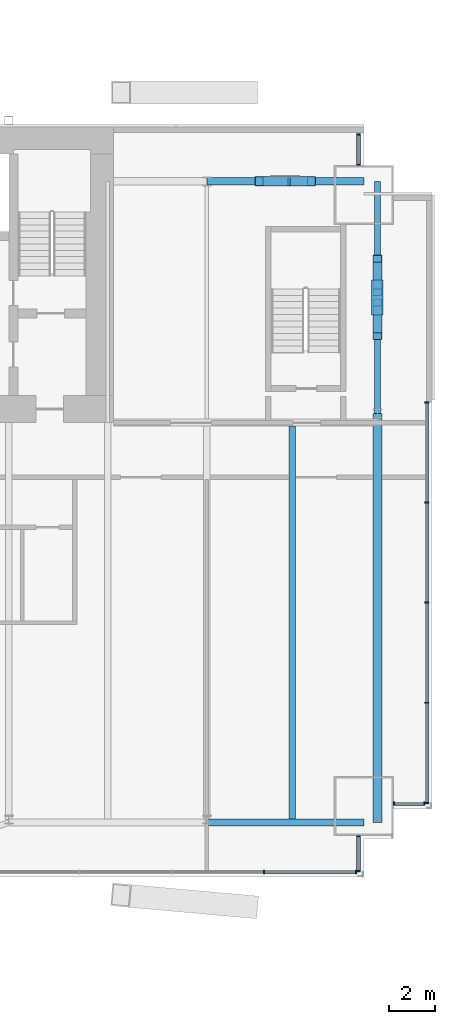
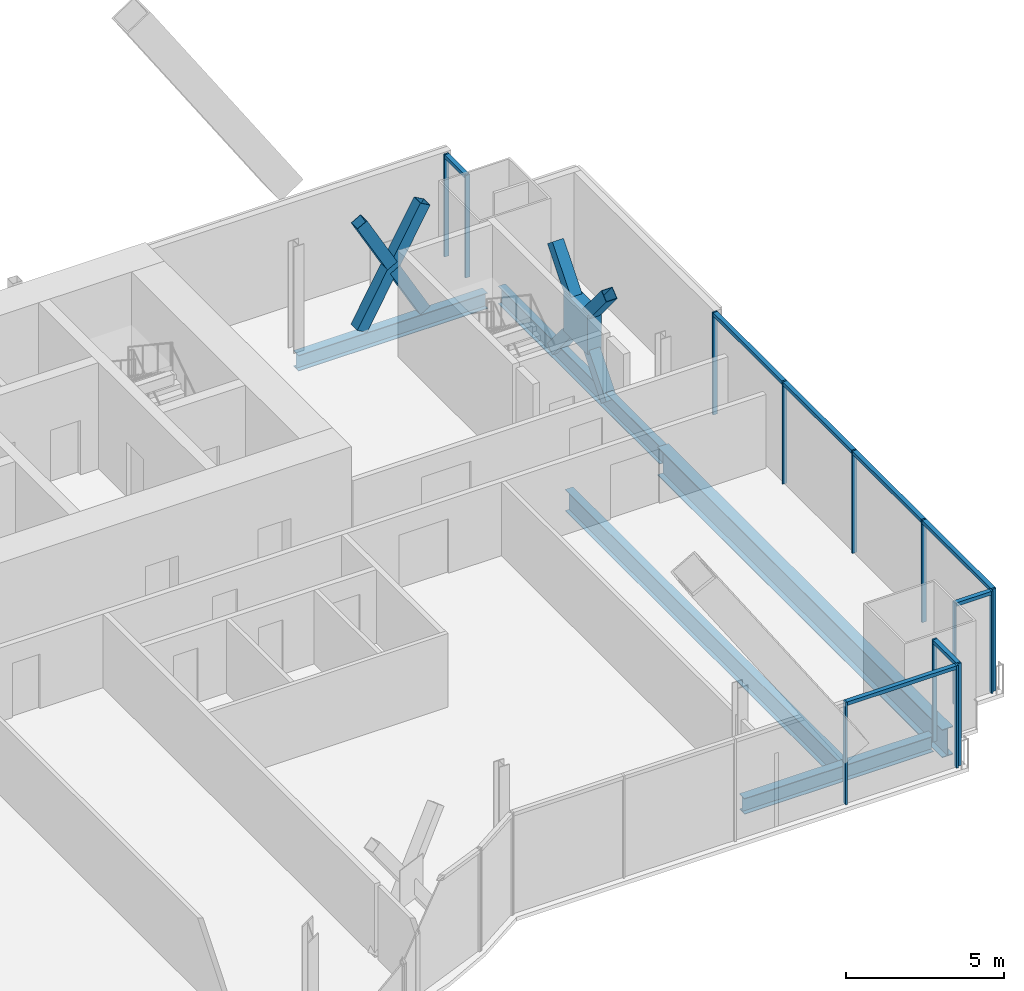
# One storey, part 13 of 21: 29 members, 5 beams, 5 elements without a shape of their own.
"""IFC4 building model written with IfcOpenShell, lengths in metres."""

from ifc_helpers import new_model, si_unit, direction, frame, origin, origin_2d, place, context, subcontext, project, spatial, rectangle, hollow_rectangle, i_section, extrude, material, material_profile, profile_set, type_object, element, aggregate, save


model = new_model("IFC4")

# Units and contexts
model_context = context("Model", 3, precision=1e-05, world=origin(), true_north=direction((0.0, 1.0)))
body_context = subcontext(model_context, "Body", "Model", "MODEL_VIEW")
ifc_project = project(units=[si_unit("LENGTHUNIT", "METRE"), si_unit("AREAUNIT", "SQUARE_METRE"), si_unit("VOLUMEUNIT", "CUBIC_METRE"), si_unit("PLANEANGLEUNIT", "RADIAN"), si_unit("MASSUNIT", "GRAM", prefix="KILO")], contexts=[model_context])

# Site, building, storey
site_placement = place(None, origin())
site = spatial("IfcSite", under=ifc_project, at=site_placement, CompositionType="ELEMENT")
building_placement = place(site_placement, origin())
building = spatial("IfcBuilding", under=site, at=building_placement, Name="Bicima Exchange Tower", CompositionType="ELEMENT")
storey_placement = place(building_placement, frame((0.0, 0.0, 195.0)))
storey = spatial("IfcBuildingStorey", under=building, at=storey_placement, Name="L43", CompositionType="ELEMENT", Elevation=195.0)

# Member
ifc_material_1 = material(Name="Steel ASTM A572 Gr 50", Category="steel")
ifc_material_profile_1 = material_profile(ifc_material_1, rectangle(XDim=0.50634765625, YDim=1.529541015625, at=origin_2d()))
ifc_profile_set_1 = profile_set([ifc_material_profile_1], Name="Steel ASTM A572 Gr 50")
member_type_1 = type_object("IfcMemberType", Name="Brace crossing node 506 x 1530", PredefinedType="POST", material=ifc_profile_set_1)
member_1_placement = place(storey_placement, frame((33.60009765625, -7.5, 0.798583984375), z_axis=(0.0, 0.0, 1.0), x_axis=(1.0, 0.0, 0.0)))
element("IfcMember", 1, at=member_1_placement, inside=storey, type_object=member_type_1, Name="Brace crossing node block", PredefinedType="POST", context=body_context, shape_type="SweptSolid", body=[
    extrude(rectangle(XDim=0.50634765625, YDim=1.529541015625, at=origin_2d()), origin(), (0.0, 0.0, 1.0), 1.509521484375),
])

# Curtain wall, members
ifc_material_2 = material(Name="Anodised bronze aluminium", Category="aluminium")
curtain_wall_type_1 = type_object("IfcCurtainWallType", Name="End face glass wall", PredefinedType="NOTDEFINED", material=ifc_material_2)
curtain_wall_1_placement = place(storey_placement, origin())
curtain_wall_1 = element("IfcCurtainWall", 2, at=curtain_wall_1_placement, inside=storey, type_object=curtain_wall_type_1, Name="End face glass wall L43 run 19", PredefinedType="NOTDEFINED")
ifc_material_profile_2 = material_profile(ifc_material_2, rectangle(XDim=0.159912109375, YDim=0.06005859375, at=origin_2d()))
ifc_profile_set_2 = profile_set([ifc_material_profile_2], Name="Anodised bronze aluminium")
member_type_2 = type_object("IfcMemberType", Name="End face glass wall mullion 60 x 160", PredefinedType="MULLION", material=ifc_profile_set_2)
member_2_placement = place(storey_placement, frame((35.77001953125, -29.7119140625, 0.0), z_axis=(0.0, 0.0, 1.0), x_axis=(-1.0, 0.0, 0.0)))
member_2 = element("IfcMember", 3, at=member_2_placement, type_object=member_type_2, Name="End face glass wall mullion 1", PredefinedType="MULLION", context=body_context, shape_type="SweptSolid", body=[
    extrude(rectangle(XDim=0.159912109375, YDim=0.06005859375, at=origin_2d()), origin(), (0.0, 0.0, 1.0), 3.949951171875),
])
member_3_placement = place(storey_placement, frame((35.77001953125, -25.3115234375, 0.0), z_axis=(0.0, 0.0, 1.0), x_axis=(-1.0, 0.0, 0.0)))
member_3 = element("IfcMember", 4, at=member_3_placement, type_object=member_type_2, Name="End face glass wall mullion 2", PredefinedType="MULLION", context=body_context, shape_type="SweptSolid", body=[
    extrude(rectangle(XDim=0.159912109375, YDim=0.06005859375, at=origin_2d()), origin(), (0.0, 0.0, 1.0), 3.949951171875),
])
member_4_placement = place(storey_placement, frame((35.77001953125, -20.910888671875, 0.0), z_axis=(0.0, 0.0, 1.0), x_axis=(-1.0, 0.0, 0.0)))
member_4 = element("IfcMember", 5, at=member_4_placement, type_object=member_type_2, Name="End face glass wall mullion 3", PredefinedType="MULLION", context=body_context, shape_type="SweptSolid", body=[
    extrude(rectangle(XDim=0.159912109375, YDim=0.06005859375, at=origin_2d()), origin(), (0.0, 0.0, 1.0), 3.949951171875),
])
member_5_placement = place(storey_placement, frame((35.77001953125, -16.510498046875, 0.0), z_axis=(0.0, 0.0, 1.0), x_axis=(-1.0, 0.0, 0.0)))
member_5 = element("IfcMember", 6, at=member_5_placement, type_object=member_type_2, Name="End face glass wall mullion 4", PredefinedType="MULLION", context=body_context, shape_type="SweptSolid", body=[
    extrude(rectangle(XDim=0.159912109375, YDim=0.06005859375, at=origin_2d()), origin(), (0.0, 0.0, 1.0), 3.949951171875),
])
member_6_placement = place(storey_placement, frame((35.77001953125, -12.110107421875, 0.0), z_axis=(0.0, 0.0, 1.0), x_axis=(-1.0, 0.0, 0.0)))
member_6 = element("IfcMember", 7, at=member_6_placement, type_object=member_type_2, Name="End face glass wall mullion 5", PredefinedType="MULLION", context=body_context, shape_type="SweptSolid", body=[
    extrude(rectangle(XDim=0.159912109375, YDim=0.06005859375, at=origin_2d()), origin(), (0.0, 0.0, 1.0), 3.949951171875),
])
ifc_material_profile_3 = material_profile(ifc_material_2, rectangle(XDim=0.159912109375, YDim=0.139892578125, at=origin_2d()))
ifc_profile_set_3 = profile_set([ifc_material_profile_3], Name="Anodised bronze aluminium")
member_type_3 = type_object("IfcMemberType", Name="End face glass wall transom 140 x 160", PredefinedType="USERDEFINED", material=ifc_profile_set_3)
member_7_placement = place(storey_placement, frame((35.77001953125, -29.681884765625, 3.8798828125), z_axis=(0.0, 1.0, 0.0), x_axis=(-1.0, 0.0, 0.0)))
member_7 = element("IfcMember", 8, at=member_7_placement, type_object=member_type_3, Name="End face glass wall transom 1.1", ObjectType="TRANSOM", PredefinedType="USERDEFINED", context=body_context, shape_type="SweptSolid", body=[
    extrude(rectangle(XDim=0.159912109375, YDim=0.139892578125, at=origin_2d()), origin(), (0.0, 0.0, 1.0), 4.34033203125),
])
member_8_placement = place(storey_placement, frame((35.77001953125, -25.281494140625, 3.8798828125), z_axis=(0.0, 1.0, 0.0), x_axis=(-1.0, 0.0, 0.0)))
member_8 = element("IfcMember", 9, at=member_8_placement, type_object=member_type_3, Name="End face glass wall transom 2.1", ObjectType="TRANSOM", PredefinedType="USERDEFINED", context=body_context, shape_type="SweptSolid", body=[
    extrude(rectangle(XDim=0.159912109375, YDim=0.139892578125, at=origin_2d()), origin(), (0.0, 0.0, 1.0), 4.340576171875),
])
member_9_placement = place(storey_placement, frame((35.77001953125, -20.881103515625, 3.8798828125), z_axis=(0.0, 1.0, 0.0), x_axis=(-1.0, 0.0, 0.0)))
member_9 = element("IfcMember", 10, at=member_9_placement, type_object=member_type_3, Name="End face glass wall transom 3.1", ObjectType="TRANSOM", PredefinedType="USERDEFINED", context=body_context, shape_type="SweptSolid", body=[
    extrude(rectangle(XDim=0.159912109375, YDim=0.139892578125, at=origin_2d()), origin(), (0.0, 0.0, 1.0), 4.340576171875),
])
member_10_placement = place(storey_placement, frame((35.77001953125, -16.48046875, 3.8798828125), z_axis=(0.0, 1.0, 0.0), x_axis=(-1.0, 0.0, 0.0)))
member_10 = element("IfcMember", 11, at=member_10_placement, type_object=member_type_3, Name="End face glass wall transom 4.1", ObjectType="TRANSOM", PredefinedType="USERDEFINED", context=body_context, shape_type="SweptSolid", body=[
    extrude(rectangle(XDim=0.159912109375, YDim=0.139892578125, at=origin_2d()), origin(), (0.0, 0.0, 1.0), 4.340576171875),
])
aggregate(curtain_wall_1, [member_2, member_3, member_4, member_5, member_6, member_7, member_8, member_9, member_10])

# Beams
ifc_material_3 = material(Name="Steel ASTM A992 Gr 50", Category="steel")
ifc_material_profile_4 = material_profile(ifc_material_3, i_section(OverallWidth=0.256591796875, OverallDepth=0.693359375, WebThickness=0.014404296875, FlangeThickness=0.023681640625, at=origin_2d()))
ifc_profile_set_4 = profile_set([ifc_material_profile_4], Name="Steel ASTM A992 Gr 50")
beam_type_1 = type_object("IfcBeamType", Name="End girder W27x114", PredefinedType="BEAM", material=ifc_profile_set_4)
beam_1_placement = place(storey_placement, frame((33.60009765625, -2.39990234375, -0.49658203125), z_axis=(0.0, -1.0, 0.0), x_axis=(1.0, 0.0, 0.0)))
element("IfcBeam", 12, at=beam_1_placement, inside=storey, type_object=beam_type_1, Name="End girder", PredefinedType="BEAM", context=body_context, shape_type="SweptSolid", body=[
    extrude(i_section(OverallWidth=0.256591796875, OverallDepth=0.693359375, WebThickness=0.014404296875, FlangeThickness=0.023681640625, at=origin_2d()), origin(), (0.0, 0.0, 1.0), 10.2001953125),
])
ifc_material_profile_5 = material_profile(ifc_material_3, i_section(OverallWidth=0.4013671875, OverallDepth=1.089599609375, WebThickness=0.01806640625, FlangeThickness=0.031005859375, at=origin_2d()))
ifc_profile_set_5 = profile_set([ifc_material_profile_5], Name="Steel ASTM A992 Gr 50")
beam_type_2 = type_object("IfcBeamType", Name="End girder W44x230", PredefinedType="BEAM", material=ifc_profile_set_5)
beam_2_placement = place(storey_placement, frame((33.60009765625, -12.60009765625, -0.69482421875), z_axis=(0.0, -1.0, 0.0), x_axis=(1.0, 0.0, 0.0)))
element("IfcBeam", 13, at=beam_2_placement, inside=storey, type_object=beam_type_2, Name="End girder", PredefinedType="BEAM", context=body_context, shape_type="SweptSolid", body=[
    extrude(i_section(OverallWidth=0.4013671875, OverallDepth=1.089599609375, WebThickness=0.01806640625, FlangeThickness=0.031005859375, at=origin_2d()), origin(), (0.0, 0.0, 1.0), 17.971923828125),
])
ifc_material_profile_6 = material_profile(ifc_material_3, i_section(OverallWidth=0.2919921875, OverallDepth=0.835693359375, WebThickness=0.013916015625, FlangeThickness=0.018798828125, at=origin_2d()))
ifc_profile_set_6 = profile_set([ifc_material_profile_6], Name="Steel ASTM A992 Gr 50")
beam_type_3 = type_object("IfcBeamType", Name="Floor beam W33x118", PredefinedType="JOIST", material=ifc_profile_set_6)
beam_3_placement = place(storey_placement, frame((29.85009765625, -13.15234375, -0.56787109375), z_axis=(0.0, -1.0, 0.0), x_axis=(1.0, 0.0, 0.0)))
element("IfcBeam", 14, at=beam_3_placement, inside=storey, type_object=beam_type_3, Name="Floor beam", PredefinedType="JOIST", context=body_context, shape_type="SweptSolid", body=[
    extrude(i_section(OverallWidth=0.2919921875, OverallDepth=0.835693359375, WebThickness=0.013916015625, FlangeThickness=0.018798828125, at=origin_2d()), origin(), (0.0, 0.0, 1.0), 17.257080078125),
])
ifc_material_profile_7 = material_profile(ifc_material_3, i_section(OverallWidth=0.3251953125, OverallDepth=0.612060546875, WebThickness=0.0126953125, FlangeThickness=0.01904296875, at=origin_2d()))
ifc_profile_set_7 = profile_set([ifc_material_profile_7], Name="Steel ASTM A992 Gr 50")
beam_type_4 = type_object("IfcBeamType", Name="Front girder W24x104", PredefinedType="BEAM", material=ifc_profile_set_7)
beam_4_placement = place(storey_placement, frame((26.10009765625, -30.572021484375, -0.4560546875), z_axis=(1.0, 0.0, 0.0), x_axis=(0.0, 1.0, 0.0)))
element("IfcBeam", 15, at=beam_4_placement, inside=storey, type_object=beam_type_4, Name="Front girder", PredefinedType="BEAM", context=body_context, shape_type="SweptSolid", body=[
    extrude(i_section(OverallWidth=0.3251953125, OverallDepth=0.612060546875, WebThickness=0.0126953125, FlangeThickness=0.01904296875, at=origin_2d()), origin(), (0.0, 0.0, 1.0), 6.89990234375),
])

# Curtain wall, members
curtain_wall_type_2 = type_object("IfcCurtainWallType", Name="Front glass wall", PredefinedType="NOTDEFINED", material=ifc_material_2)
curtain_wall_2_placement = place(storey_placement, origin())
curtain_wall_2 = element("IfcCurtainWall", 16, at=curtain_wall_2_placement, inside=storey, type_object=curtain_wall_type_2, Name="Front glass wall L43 run 16", PredefinedType="NOTDEFINED")
member_type_4 = type_object("IfcMemberType", Name="Front glass wall mullion 60 x 160", PredefinedType="MULLION", material=ifc_profile_set_2)
member_11_placement = place(storey_placement, frame((28.610595703125, -32.741943359375, 0.0), z_axis=(0.0, 0.0, 1.0), x_axis=(0.0, 1.0, 0.0)))
member_11 = element("IfcMember", 17, at=member_11_placement, type_object=member_type_4, Name="Front glass wall mullion 4", PredefinedType="MULLION", context=body_context, shape_type="SweptSolid", body=[
    extrude(rectangle(XDim=0.159912109375, YDim=0.06005859375, at=origin_2d()), origin(), (0.0, 0.0, 1.0), 3.949951171875),
])
member_12_placement = place(storey_placement, frame((32.659912109375, -32.741943359375, 0.0), z_axis=(0.0, 0.0, 1.0), x_axis=(0.0, 1.0, 0.0)))
member_12 = element("IfcMember", 18, at=member_12_placement, type_object=member_type_4, Name="Front glass wall mullion 5", PredefinedType="MULLION", context=body_context, shape_type="SweptSolid", body=[
    extrude(rectangle(XDim=0.159912109375, YDim=0.06005859375, at=origin_2d()), origin(), (0.0, 0.0, 1.0), 3.949951171875),
])

curtain_wall_3_placement = place(storey_placement, origin())
curtain_wall_3 = element("IfcCurtainWall", 19, at=curtain_wall_3_placement, inside=storey, type_object=curtain_wall_type_2, Name="Front glass wall L43 run 17", PredefinedType="NOTDEFINED")
member_13_placement = place(storey_placement, frame((32.77001953125, -32.7119140625, 0.0), z_axis=(0.0, 0.0, 1.0), x_axis=(-1.0, 0.0, 0.0)))
member_13 = element("IfcMember", 20, at=member_13_placement, type_object=member_type_4, Name="Front glass wall mullion 1", PredefinedType="MULLION", context=body_context, shape_type="SweptSolid", body=[
    extrude(rectangle(XDim=0.159912109375, YDim=0.06005859375, at=origin_2d()), origin(), (0.0, 0.0, 1.0), 3.949951171875),
])
member_14_placement = place(storey_placement, frame((32.77001953125, -31.179931640625, 0.0), z_axis=(0.0, 0.0, 1.0), x_axis=(-1.0, 0.0, 0.0)))
member_14 = element("IfcMember", 21, at=member_14_placement, type_object=member_type_4, Name="Front glass wall mullion 2", PredefinedType="MULLION", context=body_context, shape_type="SweptSolid", body=[
    extrude(rectangle(XDim=0.159912109375, YDim=0.06005859375, at=origin_2d()), origin(), (0.0, 0.0, 1.0), 3.949951171875),
])

curtain_wall_4_placement = place(storey_placement, origin())
curtain_wall_4 = element("IfcCurtainWall", 22, at=curtain_wall_4_placement, inside=storey, type_object=curtain_wall_type_2, Name="Front glass wall L43 run 18", PredefinedType="NOTDEFINED")
member_15_placement = place(storey_placement, frame((34.330078125, -29.741943359375, 0.0), z_axis=(0.0, 0.0, 1.0), x_axis=(0.0, 1.0, 0.0)))
member_15 = element("IfcMember", 23, at=member_15_placement, type_object=member_type_4, Name="Front glass wall mullion 1", PredefinedType="MULLION", context=body_context, shape_type="SweptSolid", body=[
    extrude(rectangle(XDim=0.159912109375, YDim=0.06005859375, at=origin_2d()), origin(), (0.0, 0.0, 1.0), 3.949951171875),
])
member_16_placement = place(storey_placement, frame((35.659912109375, -29.741943359375, 0.0), z_axis=(0.0, 0.0, 1.0), x_axis=(0.0, 1.0, 0.0)))
member_16 = element("IfcMember", 24, at=member_16_placement, type_object=member_type_4, Name="Front glass wall mullion 2", PredefinedType="MULLION", context=body_context, shape_type="SweptSolid", body=[
    extrude(rectangle(XDim=0.159912109375, YDim=0.06005859375, at=origin_2d()), origin(), (0.0, 0.0, 1.0), 3.949951171875),
])

curtain_wall_5_placement = place(storey_placement, origin())
curtain_wall_5 = element("IfcCurtainWall", 25, at=curtain_wall_5_placement, inside=storey, type_object=curtain_wall_type_2, Name="Front glass wall L43 run 20", PredefinedType="NOTDEFINED")
member_17_placement = place(storey_placement, frame((32.77001953125, -1.669921875, 0.0), z_axis=(0.0, 0.0, 1.0), x_axis=(-1.0, 0.0, 0.0)))
member_17 = element("IfcMember", 26, at=member_17_placement, type_object=member_type_4, Name="Front glass wall mullion 1", PredefinedType="MULLION", context=body_context, shape_type="SweptSolid", body=[
    extrude(rectangle(XDim=0.159912109375, YDim=0.06005859375, at=origin_2d()), origin(), (0.0, 0.0, 1.0), 3.949951171875),
])
member_18_placement = place(storey_placement, frame((32.77001953125, -0.340087890625, 0.0), z_axis=(0.0, 0.0, 1.0), x_axis=(-1.0, 0.0, 0.0)))
member_18 = element("IfcMember", 27, at=member_18_placement, type_object=member_type_4, Name="Front glass wall mullion 2", PredefinedType="MULLION", context=body_context, shape_type="SweptSolid", body=[
    extrude(rectangle(XDim=0.159912109375, YDim=0.06005859375, at=origin_2d()), origin(), (0.0, 0.0, 1.0), 3.949951171875),
])

# Member
member_type_5 = type_object("IfcMemberType", Name="Front glass wall transom 140 x 160", PredefinedType="USERDEFINED", material=ifc_profile_set_3)
member_19_placement = place(storey_placement, frame((28.640380859375, -32.741943359375, 3.8798828125), z_axis=(1.0, 0.0, 0.0), x_axis=(0.0, 1.0, 0.0)))
member_19 = element("IfcMember", 28, at=member_19_placement, type_object=member_type_5, Name="Front glass wall transom 4.1", ObjectType="TRANSOM", PredefinedType="USERDEFINED", context=body_context, shape_type="SweptSolid", body=[
    extrude(rectangle(XDim=0.159912109375, YDim=0.139892578125, at=origin_2d()), origin(), (0.0, 0.0, 1.0), 3.989501953125),
])

aggregate(curtain_wall_2, [member_11, member_12, member_19])

member_20_placement = place(storey_placement, frame((32.77001953125, -32.681884765625, 3.8798828125), z_axis=(0.0, 1.0, 0.0), x_axis=(-1.0, 0.0, 0.0)))
member_20 = element("IfcMember", 29, at=member_20_placement, type_object=member_type_5, Name="Front glass wall transom 1.1", ObjectType="TRANSOM", PredefinedType="USERDEFINED", context=body_context, shape_type="SweptSolid", body=[
    extrude(rectangle(XDim=0.159912109375, YDim=0.139892578125, at=origin_2d()), origin(), (0.0, 0.0, 1.0), 1.471923828125),
])

aggregate(curtain_wall_3, [member_13, member_14, member_20])

member_21_placement = place(storey_placement, frame((34.360107421875, -29.741943359375, 3.8798828125), z_axis=(1.0, 0.0, 0.0), x_axis=(0.0, 1.0, 0.0)))
member_21 = element("IfcMember", 30, at=member_21_placement, type_object=member_type_5, Name="Front glass wall transom 1.1", ObjectType="TRANSOM", PredefinedType="USERDEFINED", context=body_context, shape_type="SweptSolid", body=[
    extrude(rectangle(XDim=0.159912109375, YDim=0.139892578125, at=origin_2d()), origin(), (0.0, 0.0, 1.0), 1.269775390625),
])

aggregate(curtain_wall_4, [member_15, member_16, member_21])

member_22_placement = place(storey_placement, frame((32.77001953125, -1.639892578125, 3.8798828125), z_axis=(0.0, 1.0, 0.0), x_axis=(-1.0, 0.0, 0.0)))
member_22 = element("IfcMember", 31, at=member_22_placement, type_object=member_type_5, Name="Front glass wall transom 1.1", ObjectType="TRANSOM", PredefinedType="USERDEFINED", context=body_context, shape_type="SweptSolid", body=[
    extrude(rectangle(XDim=0.159912109375, YDim=0.139892578125, at=origin_2d()), origin(), (0.0, 0.0, 1.0), 1.269775390625),
])

aggregate(curtain_wall_5, [member_17, member_18, member_22])

# Members
ifc_material_profile_8 = material_profile(ifc_material_1, hollow_rectangle(XDim=0.406494140625, YDim=0.406494140625, WallThickness=0.0146484375, at=origin_2d()))
ifc_profile_set_8 = profile_set([ifc_material_profile_8], Name="Steel ASTM A572 Gr 50")
member_type_6 = type_object("IfcMemberType", Name="Mega brace HSS16x16x5/8", PredefinedType="BRACE", material=ifc_profile_set_8)
member_23_placement = place(storey_placement, frame((28.39990234375, -2.39990234375, 0.0), z_axis=(0.489250010841, 0.0, 0.87214358158), x_axis=(0.0, 1.0, 0.0)))
element("IfcMember", 32, at=member_23_placement, inside=storey, type_object=member_type_6, Name="Mega brace rear", PredefinedType="BRACE", context=body_context, shape_type="SweptSolid", body=[
    extrude(hollow_rectangle(XDim=0.406494140625, YDim=0.406494140625, WallThickness=0.0146484375, at=origin_2d()), origin(), (0.0, 0.0, 1.0), 4.701171875),
])
member_24_placement = place(storey_placement, frame((30.699951171875, -2.39990234375, 0.0), z_axis=(-0.489281197616, 0.0, 0.872126085873), x_axis=(0.0, -1.0, 0.0)))
element("IfcMember", 33, at=member_24_placement, inside=storey, type_object=member_type_6, Name="Mega brace rear", PredefinedType="BRACE", context=body_context, shape_type="SweptSolid", body=[
    extrude(hollow_rectangle(XDim=0.406494140625, YDim=0.406494140625, WallThickness=0.0146484375, at=origin_2d()), origin(), (0.0, 0.0, 1.0), 2.247802734375),
])
member_25_placement = place(storey_placement, frame((29.499755859375, -2.39990234375, 2.139404296875), z_axis=(-0.489234856459, 0.0, 0.872152082624), x_axis=(0.0, -1.0, 0.0)))
element("IfcMember", 34, at=member_25_placement, inside=storey, type_object=member_type_6, Name="Mega brace rear", PredefinedType="BRACE", context=body_context, shape_type="SweptSolid", body=[
    extrude(hollow_rectangle(XDim=0.406494140625, YDim=0.406494140625, WallThickness=0.0146484375, at=origin_2d()), origin(), (0.0, 0.0, 1.0), 2.248046875),
])
member_26_placement = place(storey_placement, frame((33.60009765625, -5.800048828125, -0.49658203125), z_axis=(0.0, -0.638335869595, 0.769757960393), x_axis=(1.0, 0.0, 0.0)))
element("IfcMember", 35, at=member_26_placement, inside=storey, type_object=member_type_6, Name="Mega brace east end", PredefinedType="BRACE", context=body_context, shape_type="SweptSolid", body=[
    extrude(hollow_rectangle(XDim=0.406494140625, YDim=0.406494140625, WallThickness=0.0146484375, at=origin_2d()), origin(), (0.0, 0.0, 1.0), 2.314697265625),
])
member_27_placement = place(storey_placement, frame((33.60009765625, -7.722412109375, 1.8212890625), z_axis=(0.0, -0.63828404563, 0.76980093342), x_axis=(1.0, 0.0, 0.0)))
element("IfcMember", 36, at=member_27_placement, inside=storey, type_object=member_type_6, Name="Mega brace east end", PredefinedType="BRACE", context=body_context, shape_type="SweptSolid", body=[
    extrude(hollow_rectangle(XDim=0.406494140625, YDim=0.406494140625, WallThickness=0.0146484375, at=origin_2d()), origin(), (0.0, 0.0, 1.0), 2.31494140625),
])
member_28_placement = place(storey_placement, frame((33.60009765625, -9.199951171875, -0.49658203125), z_axis=(0.0, 0.638335869595, 0.769757960393), x_axis=(-1.0, 0.0, 0.0)))
element("IfcMember", 37, at=member_28_placement, inside=storey, type_object=member_type_6, Name="Mega brace east end", PredefinedType="BRACE", context=body_context, shape_type="SweptSolid", body=[
    extrude(hollow_rectangle(XDim=0.406494140625, YDim=0.406494140625, WallThickness=0.0146484375, at=origin_2d()), origin(), (0.0, 0.0, 1.0), 2.314697265625),
])
member_29_placement = place(storey_placement, frame((33.60009765625, -7.277587890625, 1.8212890625), z_axis=(0.0, 0.63828404563, 0.76980093342), x_axis=(-1.0, 0.0, 0.0)))
element("IfcMember", 38, at=member_29_placement, inside=storey, type_object=member_type_6, Name="Mega brace east end", PredefinedType="BRACE", context=body_context, shape_type="SweptSolid", body=[
    extrude(hollow_rectangle(XDim=0.406494140625, YDim=0.406494140625, WallThickness=0.0146484375, at=origin_2d()), origin(), (0.0, 0.0, 1.0), 2.31494140625),
])

# Beam
beam_type_5 = type_object("IfcBeamType", Name="Rear girder W24x104", PredefinedType="BEAM", material=ifc_profile_set_7)
beam_5_placement = place(storey_placement, frame((26.10009765625, -2.39990234375, -0.4560546875), z_axis=(1.0, 0.0, 0.0), x_axis=(0.0, 1.0, 0.0)))
element("IfcBeam", 39, at=beam_5_placement, inside=storey, type_object=beam_type_5, Name="Rear girder", PredefinedType="BEAM", context=body_context, shape_type="SweptSolid", body=[
    extrude(i_section(OverallWidth=0.3251953125, OverallDepth=0.612060546875, WebThickness=0.0126953125, FlangeThickness=0.01904296875, at=origin_2d()), origin(), (0.0, 0.0, 1.0), 6.89990234375),
])

save(model, "model.ifc")
